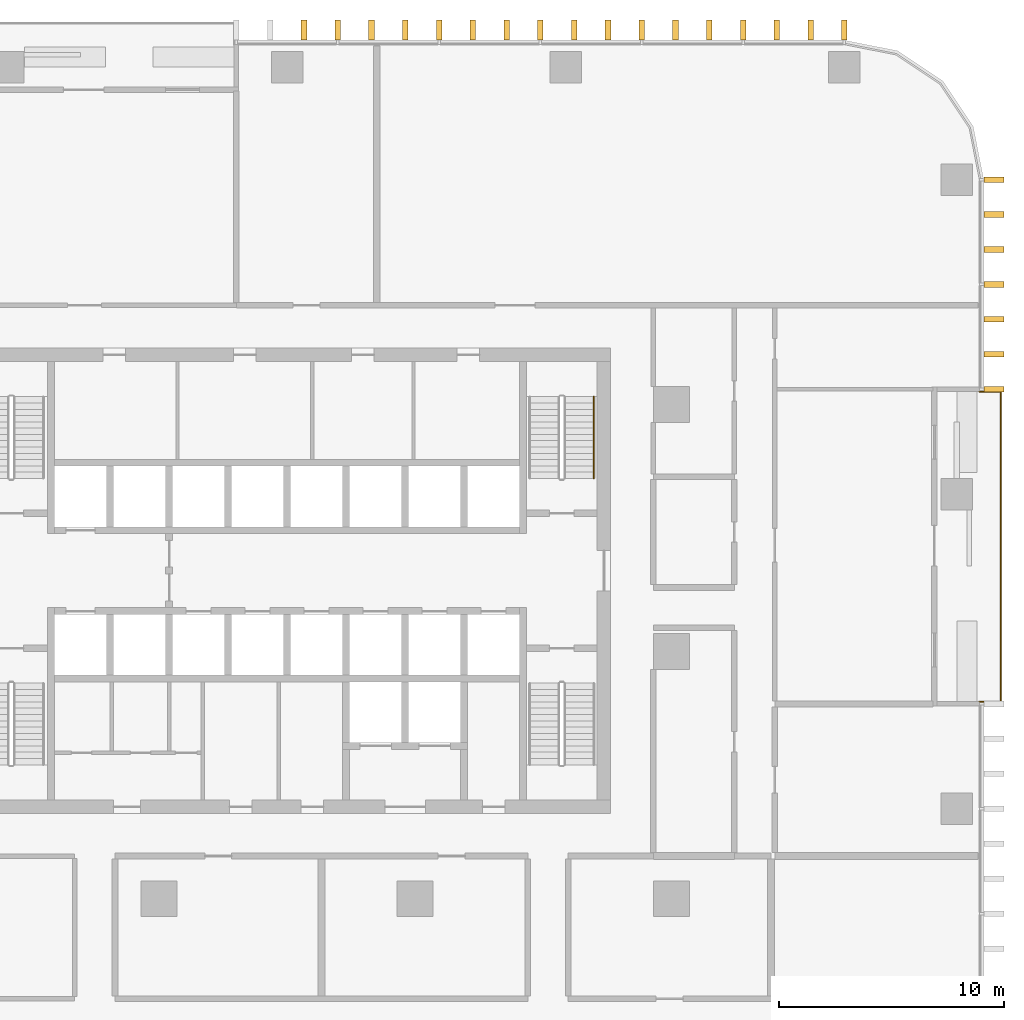
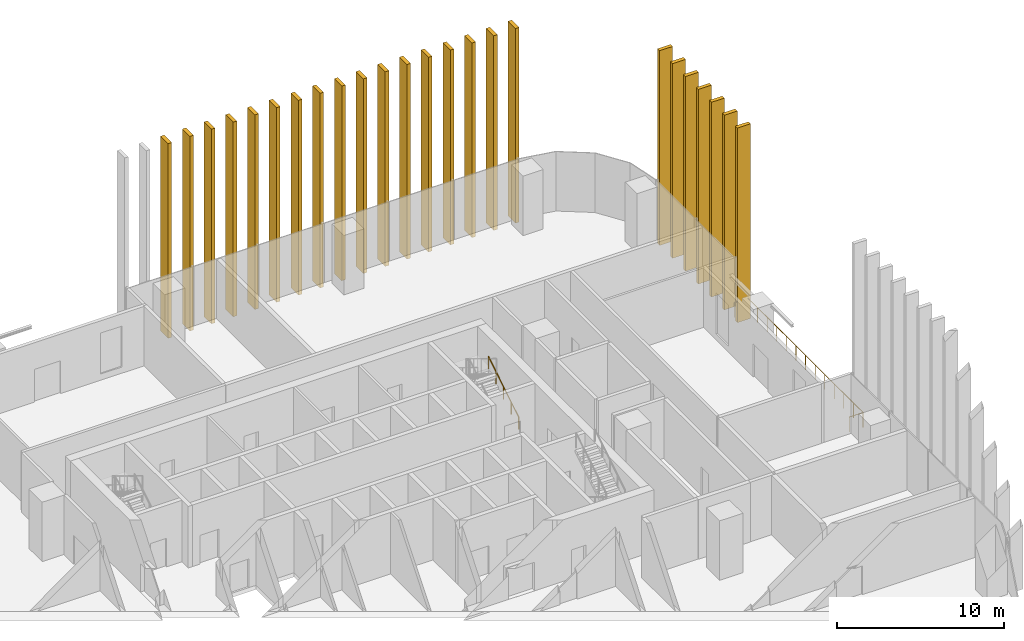
# One storey, part 17 of 17: 24 shading devices, 2 railings.
"""IFC4 building model written with IfcOpenShell, lengths in metres."""

import ifcopenshell
import ifcopenshell.guid

model = None  # the IFC model being written
_history = None  # IfcOwnerHistory: only IFC2X3 demands one
_inside = {}  # id of a spatial element -> (the spatial element, [elements in it])
_under = {}  # id of a project, library or spatial element -> (it, [spatial elements below it])
_declared = {}  # id of a project -> (the project, [libraries it declares])
_typed = {}  # id of a type object -> (the type object, [elements of that type])
_made_of = {}  # id of a material, layer set ... -> (it, [elements and type objects made of it])


def new_model(schema):
    """Start an empty IFC model of exactly this schema.

    Asked for "IFC4X3", IfcOpenShell would pick the latest addendum, in which some entities
    have other attributes; the version numbers below select the first issue.
    IFC2X3 requires an IfcOwnerHistory on every rooted entity: one is made here for all.
    """
    global model, _history
    if schema == "IFC4X3":
        model = ifcopenshell.file(schema_version=(4, 3, 0, 0))
    else:
        model = ifcopenshell.file(schema=schema)
    _inside.clear()
    _under.clear()
    _declared.clear()
    _typed.clear()
    _made_of.clear()
    _history = None
    if model.schema == "IFC2X3":
        org = make("IfcOrganization", Name="unknown")
        user = make(
            "IfcPersonAndOrganization",
            ThePerson=make("IfcPerson", FamilyName="unknown"),
            TheOrganization=org,
        )
        app = make(
            "IfcApplication",
            ApplicationDeveloper=org,
            Version="unknown",
            ApplicationFullName="unknown",
            ApplicationIdentifier="unknown",
        )
        _history = make(
            "IfcOwnerHistory",
            OwningUser=user,
            OwningApplication=app,
            ChangeAction="ADDED",
            CreationDate=0,
        )
    return model


def make(cls, **values):
    """One entity of the class cls with the attributes given. An attribute that is None is left unset."""
    return model.create_entity(
        cls, **{name: value for name, value in values.items() if value is not None}
    )


def rooted(cls, **values):
    """An entity with a GlobalId (a new one), such as an element, a storey or a relation."""
    return make(cls, GlobalId=ifcopenshell.guid.new(), OwnerHistory=_history, **values)


def si_unit(unit_type, name, prefix=None):
    """IfcSIUnit, for example si_unit("LENGTHUNIT", "METRE", prefix="MILLI")."""
    return make("IfcSIUnit", UnitType=unit_type, Prefix=prefix, Name=name)


def assignment(units):
    """IfcUnitAssignment: the units of a project."""
    return None if units is None else make("IfcUnitAssignment", Units=units)


def point(xyz):
    """IfcCartesianPoint."""
    return None if xyz is None else make("IfcCartesianPoint", Coordinates=xyz)


def direction(xyz):
    """IfcDirection."""
    return None if xyz is None else make("IfcDirection", DirectionRatios=xyz)


def frame(location, z_axis=None, x_axis=None):
    """IfcAxis2Placement3D, a coordinate frame: its origin and axes. An axis left out is left unset."""
    return make(
        "IfcAxis2Placement3D",
        Location=point(location),
        Axis=direction(z_axis),
        RefDirection=direction(x_axis),
    )


def frame_2d(location, x_axis=None):
    """IfcAxis2Placement2D, a coordinate frame in the plane: its origin and x axis."""
    return make(
        "IfcAxis2Placement2D", Location=point(location), RefDirection=direction(x_axis)
    )


def origin():
    """The frame at (0, 0, 0) with its axes left unset."""
    return frame((0.0, 0.0, 0.0))


def origin_2d():
    """The frame at (0, 0) in the plane with its x axis left unset."""
    return frame_2d((0.0, 0.0))


def place(relative_to, where):
    """IfcLocalPlacement: puts the frame where relative to a parent placement (None: the world)."""
    return make(
        "IfcLocalPlacement", PlacementRelTo=relative_to, RelativePlacement=where
    )


def context(
    kind, dimensions, precision=None, world=None, true_north=None, identifier=None
):
    """IfcGeometricRepresentationContext, for example the 3D "Model" context."""
    return make(
        "IfcGeometricRepresentationContext",
        ContextIdentifier=identifier,
        ContextType=kind,
        CoordinateSpaceDimension=dimensions,
        Precision=precision,
        WorldCoordinateSystem=world,
        TrueNorth=true_north,
    )


def subcontext(parent, identifier, kind, view, scale=None):
    """IfcGeometricRepresentationSubContext, for example "Body" below "Model"."""
    return make(
        "IfcGeometricRepresentationSubContext",
        ContextIdentifier=identifier,
        ContextType=kind,
        ParentContext=parent,
        TargetScale=scale,
        TargetView=view,
    )


def project(units=None, contexts=None):
    """IfcProject with its units and contexts."""
    return rooted(
        "IfcProject",
        Name="project",
        RepresentationContexts=contexts,
        UnitsInContext=assignment(units),
    )


def spatial(cls, under=None, at=None, **own):
    """A site, building, storey or space (cls), placed at a placement, below another one or the project."""
    s = rooted(cls, ObjectPlacement=at, **own)
    if under is not None:
        _under.setdefault(under.id(), (under, []))[1].append(s)
    return s


def profile(cls, at=None, kind="AREA", **sizes):
    """A parametric profile (cls). Its sizes go by their IFC names, for example OverallWidth=200.0."""
    return make(cls, ProfileType=kind, Position=at, **sizes)


def rectangle(**sizes):
    """IfcRectangleProfileDef."""
    return profile("IfcRectangleProfileDef", **sizes)


def circle(**sizes):
    """IfcCircleProfileDef."""
    return profile("IfcCircleProfileDef", **sizes)


def extrude(swept, where, along, depth):
    """IfcExtrudedAreaSolid: the profile swept, set in the frame where, extruded along a direction by depth."""
    return make(
        "IfcExtrudedAreaSolid",
        SweptArea=swept,
        Position=where,
        ExtrudedDirection=direction(along),
        Depth=depth,
    )


def shape(context_of_items, identifier, shape_type, items):
    """IfcShapeRepresentation: the items that make up one representation, for example the "Body"."""
    return make(
        "IfcShapeRepresentation",
        ContextOfItems=context_of_items,
        RepresentationIdentifier=identifier,
        RepresentationType=shape_type,
        Items=items,
    )


def material(Name=None, Category=None):
    """IfcMaterial."""
    return make("IfcMaterial", Name=Name, Category=Category)


def made_of(thing, what):
    """Note that an element or type object is made of a material, layer set ...; save() writes the relation."""
    if what is not None:
        _made_of.setdefault(what.id(), (what, []))[1].append(thing)
    return thing


def type_object(cls, material=None, **own):
    """A type object (cls), such as IfcWallType, which elements share."""
    return made_of(rooted(cls, **own), material)


def element(
    cls,
    number,
    at=None,
    inside=None,
    cuts=None,
    type_object=None,
    material=None,
    context=None,
    identifier="Body",
    shape_type=None,
    held_by="IfcProductDefinitionShape",
    body=None,
    shapes=None,
    **own,
):
    """One element of the class cls, such as IfcWall. Its Tag is "e" and its number.

    at: its placement. inside: the storey or other place that contains it. cuts: it is an
    opening in that element (IfcRelVoidsElement). A single representation is given by context,
    identifier, shape_type and body (its items); several are given by shapes. held_by: the class
    of the entity that holds the representations. save() writes the other relations.
    """
    e = rooted(cls, Tag="e%d" % number, ObjectPlacement=at, **own)
    if body is not None:
        shapes = [shape(context, identifier, shape_type, body)]
    if shapes is not None:
        e.Representation = make(held_by, Representations=shapes)
    if inside is not None:
        _inside.setdefault(inside.id(), (inside, []))[1].append(e)
    if cuts is not None:
        rooted(
            "IfcRelVoidsElement", RelatingBuildingElement=cuts, RelatedOpeningElement=e
        )
    if type_object is not None:
        _typed.setdefault(type_object.id(), (type_object, []))[1].append(e)
    return made_of(e, material)


def aggregate(whole, parts):
    """IfcRelAggregates: a whole, such as a stair, and the parts it consists of."""
    return rooted("IfcRelAggregates", RelatingObject=whole, RelatedObjects=parts)


def save(model, path):
    """Write the relations noted so far, then the file.

    IfcRelAggregates (storeys below a building ...), IfcRelContainedInSpatialStructure (elements
    in a storey), IfcRelDefinesByType, IfcRelAssociatesMaterial and IfcRelDeclares: one each for
    every whole, place, type object, material and project.
    """
    for whole, parts in _under.values():
        aggregate(whole, parts)
    for where, things in _inside.values():
        rooted(
            "IfcRelContainedInSpatialStructure",
            RelatedElements=things,
            RelatingStructure=where,
        )
    for kind, things in _typed.values():
        rooted("IfcRelDefinesByType", RelatedObjects=things, RelatingType=kind)
    for what, things in _made_of.values():
        rooted("IfcRelAssociatesMaterial", RelatedObjects=things, RelatingMaterial=what)
    for by, libraries in _declared.values():
        rooted("IfcRelDeclares", RelatingContext=by, RelatedDefinitions=libraries)
    model.write(path)


model = new_model("IFC4")

# Units and contexts
model_context = context("Model", 3, precision=1e-05, world=origin(), true_north=direction((0.0, 1.0)))
body_context = subcontext(model_context, "Body", "Model", "MODEL_VIEW")
ifc_project = project(units=[si_unit("LENGTHUNIT", "METRE"), si_unit("AREAUNIT", "SQUARE_METRE"), si_unit("VOLUMEUNIT", "CUBIC_METRE"), si_unit("PLANEANGLEUNIT", "RADIAN"), si_unit("MASSUNIT", "GRAM", prefix="KILO")], contexts=[model_context])

# Site, building, storey
site_placement = place(None, origin())
site = spatial("IfcSite", under=ifc_project, at=site_placement, CompositionType="ELEMENT")
building_placement = place(site_placement, origin())
building = spatial("IfcBuilding", under=site, at=building_placement, Name="Mopane Tessera Tower", CompositionType="ELEMENT")
storey_placement = place(building_placement, frame((0.0, 0.0, 74.199951171875)))
storey = spatial("IfcBuildingStorey", under=building, at=storey_placement, Name="L14", CompositionType="ELEMENT", Elevation=74.199951171875)

# Shading devices
ifc_material_1 = material(Name="Glazed ceramic tile")
shading_device_type = type_object("IfcShadingDeviceType", Name="Ceramic tile fin 900 x 250 mm", PredefinedType="USERDEFINED", material=ifc_material_1)
for number, where, z_axis, x_axis, name in (
    (1, (31.449951171875, 11.666748046875, -0.449951171875), (0.0, 0.0, 1.0), (0.0, 1.0, 0.0), "e:fin:L14:E:7:0"),
    (2, (31.449951171875, 13.22216796875, -0.449951171875), (0.0, 0.0, 1.0), (0.0, 1.0, 0.0), "e:fin:L14:E:7:1"),
    (3, (31.449951171875, 14.77783203125, -0.449951171875), (0.0, 0.0, 1.0), (0.0, 1.0, 0.0), "e:fin:L14:E:7:2"),
    (4, (31.449951171875, 16.333251953125, -0.449951171875), (0.0, 0.0, 1.0), (0.0, 1.0, 0.0), "e:fin:L14:E:8:0"),
    (5, (31.449951171875, 17.888916015625, -0.449951171875), (0.0, 0.0, 1.0), (0.0, 1.0, 0.0), "e:fin:L14:E:8:1"),
    (6, (31.449951171875, 19.4443359375, -0.449951171875), (0.0, 0.0, 1.0), (0.0, 1.0, 0.0), "e:fin:L14:E:8:2"),
    (7, (31.449951171875, 21.0, -0.449951171875), (0.0, 0.0, 1.0), (0.0, 1.0, 0.0), "e:fin:L14:E:8:3"),
    (8, (24.800048828125, 27.64990234375, -0.449951171875), (0.0, 0.0, 1.0), (-1.0, 0.0, 0.0), "e:fin:L14:N:0:0"),
    (9, (23.296875, 27.64990234375, -0.449951171875), (0.0, 0.0, 1.0), (-1.0, 0.0, 0.0), "e:fin:L14:N:0:1"),
    (10, (21.7939453125, 27.64990234375, -0.449951171875), (0.0, 0.0, 1.0), (-1.0, 0.0, 0.0), "e:fin:L14:N:0:2"),
    (11, (20.291015625, 27.64990234375, -0.449951171875), (0.0, 0.0, 1.0), (-1.0, 0.0, 0.0), "e:fin:L14:N:1:0"),
    (12, (18.787841796875, 27.64990234375, -0.449951171875), (0.0, 0.0, 1.0), (-1.0, 0.0, 0.0), "e:fin:L14:N:1:1"),
    (13, (17.284912109375, 27.64990234375, -0.449951171875), (0.0, 0.0, 1.0), (-1.0, 0.0, 0.0), "e:fin:L14:N:1:2"),
    (14, (15.78173828125, 27.64990234375, -0.449951171875), (0.0, 0.0, 1.0), (-1.0, 0.0, 0.0), "e:fin:L14:N:2:0"),
    (15, (14.27880859375, 27.64990234375, -0.449951171875), (0.0, 0.0, 1.0), (-1.0, 0.0, 0.0), "e:fin:L14:N:2:1"),
    (16, (12.77587890625, 27.64990234375, -0.449951171875), (0.0, 0.0, 1.0), (-1.0, 0.0, 0.0), "e:fin:L14:N:2:2"),
    (17, (11.272705078125, 27.64990234375, -0.449951171875), (0.0, 0.0, 1.0), (-1.0, 0.0, 0.0), "e:fin:L14:N:3:0"),
    (18, (9.769775390625, 27.64990234375, -0.449951171875), (0.0, 0.0, 1.0), (-1.0, 0.0, 0.0), "e:fin:L14:N:3:1"),
    (19, (8.2666015625, 27.64990234375, -0.449951171875), (0.0, 0.0, 1.0), (-1.0, 0.0, 0.0), "e:fin:L14:N:3:2"),
    (20, (6.763671875, 27.64990234375, -0.449951171875), (0.0, 0.0, 1.0), (-1.0, 0.0, 0.0), "e:fin:L14:N:4:0"),
    (21, (5.260498046875, 27.64990234375, -0.449951171875), (0.0, 0.0, 1.0), (-1.0, 0.0, 0.0), "e:fin:L14:N:4:1"),
    (22, (3.757568359375, 27.64990234375, -0.449951171875), (0.0, 0.0, 1.0), (-1.0, 0.0, 0.0), "e:fin:L14:N:4:2"),
    (23, (2.254638671875, 27.64990234375, -0.449951171875), (0.0, 0.0, 1.0), (-1.0, 0.0, 0.0), "e:fin:L14:N:5:0"),
    (24, (0.75146484375, 27.64990234375, -0.449951171875), (0.0, 0.0, 1.0), (-1.0, 0.0, 0.0), "e:fin:L14:N:5:1"),
):
    element("IfcShadingDevice", number, at=place(storey_placement, frame(where, z_axis=z_axis, x_axis=x_axis)), inside=storey, type_object=shading_device_type, Name=name, ObjectType="FIN", PredefinedType="USERDEFINED", context=body_context, shape_type="SweptSolid", body=[
        extrude(rectangle(XDim=0.25, YDim=0.89990234375, at=origin_2d()), origin(), (0.0, 0.0, 1.0), 14.25),
    ])

# Railings
ifc_material_2 = material(Name="Powder-coated steel balustrade", Category="steel")
railing_type_1 = type_object("IfcRailingType", Name="Escape stair handrail 900 mm", PredefinedType="HANDRAIL", material=ifc_material_2)
railing_1_placement = place(storey_placement, frame((13.64990234375, 7.699951171875, 0.17138671875)))
element("IfcRailing", 25, at=railing_1_placement, inside=storey, type_object=railing_type_1, Name="L14 ST4 stair handrail 1", PredefinedType="HANDRAIL", context=body_context, shape_type="SweptSolid", body=[
    extrude(circle(Radius=0.02392578125, at=origin_2d()), frame((0.0, 0.0, 0.8759765625), z_axis=(0.0, 0.852840387347, 0.522171689878), x_axis=(-1.0, 0.0, 0.0)), (0.0, 0.0, 1.0), 4.268310546875),
    extrude(circle(Radius=0.02099609375, at=origin_2d()), origin(), (0.0, 0.0, 1.0), 0.851806640625),
    extrude(circle(Radius=0.02099609375, at=origin_2d()), frame((0.0, 0.91015625, 0.55712890625)), (0.0, 0.0, 1.0), 0.851806640625),
    extrude(circle(Radius=0.02099609375, at=origin_2d()), frame((0.0, 1.820068359375, 1.1142578125)), (0.0, 0.0, 1.0), 0.851806640625),
    extrude(circle(Radius=0.02099609375, at=origin_2d()), frame((0.0, 2.72998046875, 1.671630859375)), (0.0, 0.0, 1.0), 0.851806640625),
    extrude(circle(Radius=0.02099609375, at=origin_2d()), frame((0.0, 3.64013671875, 2.228759765625)), (0.0, 0.0, 1.0), 0.851806640625),
])
ifc_material_3 = material(Name="Stainless steel S316", Category="steel")
railing_type_2 = type_object("IfcRailingType", Name="Terrace guard 1100", PredefinedType="GUARDRAIL", material=ifc_material_3)
railing_2_placement = place(storey_placement, frame((30.800048828125, -2.2333984375, 0.0)))
element("IfcRailing", 26, at=railing_2_placement, inside=storey, type_object=railing_type_2, Name="e:nw:L14:N1:guard", PredefinedType="GUARDRAIL", context=body_context, shape_type="SweptSolid", body=[
    extrude(circle(Radius=0.02392578125, at=origin_2d()), frame((0.0, 0.0, 1.076171875), z_axis=(1.0, 0.0, 0.0), x_axis=(0.0, 1.0, 0.0)), (0.0, 0.0, 1.0), 0.949951171875),
    extrude(circle(Radius=0.02392578125, at=origin_2d()), frame((0.949951171875, 0.0, 1.076171875), z_axis=(0.0, 1.0, 0.0), x_axis=(-1.0, 0.0, 0.0)), (0.0, 0.0, 1.0), 13.800048828125),
    extrude(circle(Radius=0.02392578125, at=origin_2d()), frame((0.949951171875, 13.800048828125, 1.076171875), z_axis=(-1.0, 0.0, 0.0), x_axis=(0.0, -1.0, 0.0)), (0.0, 0.0, 1.0), 0.949951171875),
    extrude(circle(Radius=0.02099609375, at=origin_2d()), origin(), (0.0, 0.0, 1.0), 1.052001953125),
    extrude(circle(Radius=0.02099609375, at=origin_2d()), frame((0.949951171875, 0.0, 0.0)), (0.0, 0.0, 1.0), 1.052001953125),
    extrude(circle(Radius=0.02099609375, at=origin_2d()), frame((0.949951171875, 1.14990234375, 0.0)), (0.0, 0.0, 1.0), 1.052001953125),
    extrude(circle(Radius=0.02099609375, at=origin_2d()), frame((0.949951171875, 2.300048828125, 0.0)), (0.0, 0.0, 1.0), 1.052001953125),
    extrude(circle(Radius=0.02099609375, at=origin_2d()), frame((0.949951171875, 3.449951171875, 0.0)), (0.0, 0.0, 1.0), 1.052001953125),
    extrude(circle(Radius=0.02099609375, at=origin_2d()), frame((0.949951171875, 4.60009765625, 0.0)), (0.0, 0.0, 1.0), 1.052001953125),
    extrude(circle(Radius=0.02099609375, at=origin_2d()), frame((0.949951171875, 5.75, 0.0)), (0.0, 0.0, 1.0), 1.052001953125),
    extrude(circle(Radius=0.02099609375, at=origin_2d()), frame((0.949951171875, 6.89990234375, 0.0)), (0.0, 0.0, 1.0), 1.052001953125),
    extrude(circle(Radius=0.02099609375, at=origin_2d()), frame((0.949951171875, 8.050048828125, 0.0)), (0.0, 0.0, 1.0), 1.052001953125),
    extrude(circle(Radius=0.02099609375, at=origin_2d()), frame((0.949951171875, 9.199951171875, 0.0)), (0.0, 0.0, 1.0), 1.052001953125),
    extrude(circle(Radius=0.02099609375, at=origin_2d()), frame((0.949951171875, 10.35009765625, 0.0)), (0.0, 0.0, 1.0), 1.052001953125),
    extrude(circle(Radius=0.02099609375, at=origin_2d()), frame((0.949951171875, 11.5, 0.0)), (0.0, 0.0, 1.0), 1.052001953125),
    extrude(circle(Radius=0.02099609375, at=origin_2d()), frame((0.949951171875, 12.650146484375, 0.0)), (0.0, 0.0, 1.0), 1.052001953125),
    extrude(circle(Radius=0.02099609375, at=origin_2d()), frame((0.949951171875, 13.800048828125, 0.0)), (0.0, 0.0, 1.0), 1.052001953125),
    extrude(circle(Radius=0.02099609375, at=origin_2d()), frame((0.0, 13.800048828125, 0.0)), (0.0, 0.0, 1.0), 1.052001953125),
])

save(model, "model.ifc")
